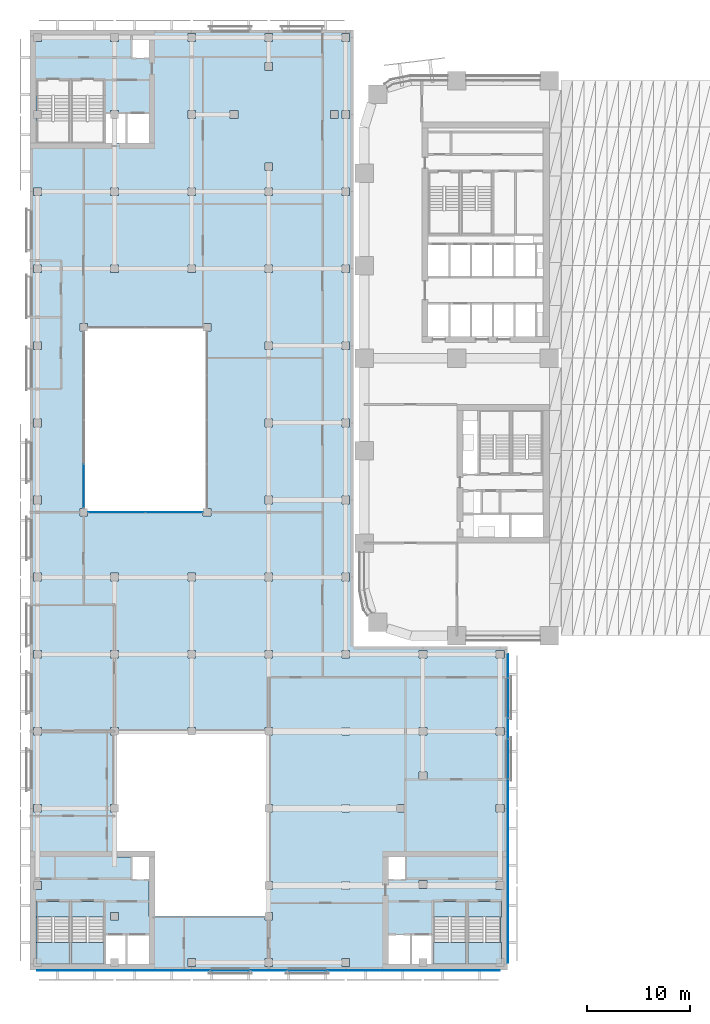
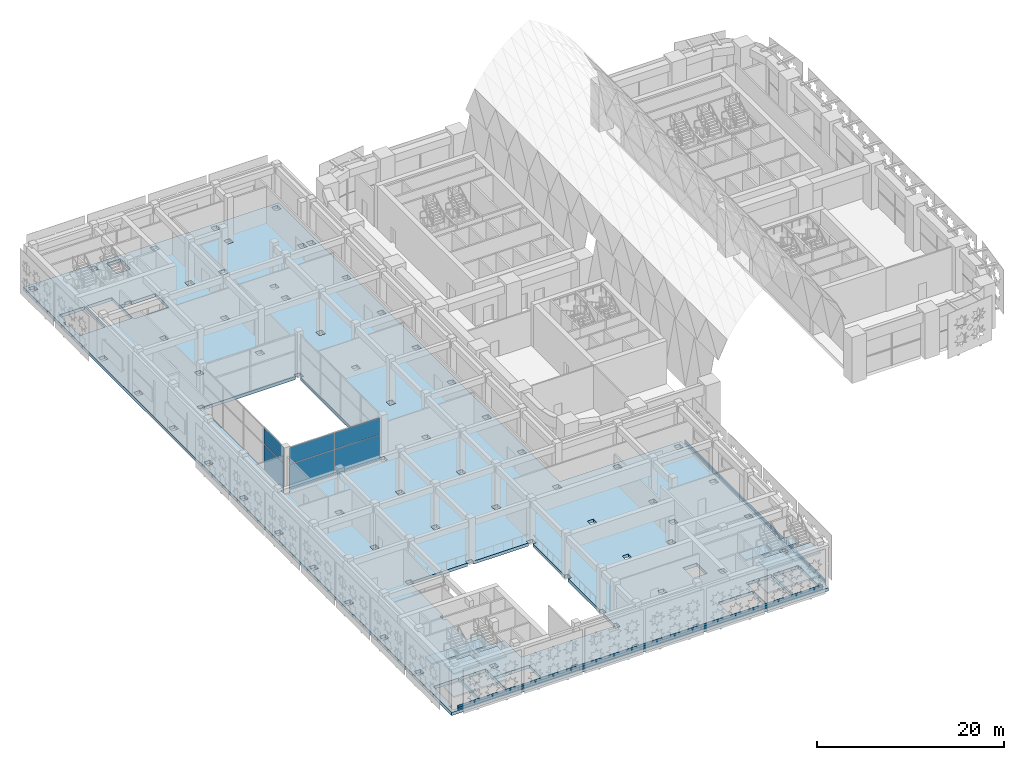
# One storey, part 10 of 46: 26 plates, 13 slabs, 6 elements without a shape of their own.
"""IFC4 building model written with IfcOpenShell, lengths in metres."""

from ifc_helpers import new_model, si_unit, direction, frame, origin, origin_2d, place, context, subcontext, project, spatial, polyline, rectangle, outline, extrude, material, layer, layer_set, type_object, element, aggregate, save


model = new_model("IFC4")

# Units and contexts
model_context = context("Model", 3, precision=1e-05, world=origin(), true_north=direction((0.0, 1.0)))
body_context = subcontext(model_context, "Body", "Model", "MODEL_VIEW")
ifc_project = project(units=[si_unit("LENGTHUNIT", "METRE"), si_unit("AREAUNIT", "SQUARE_METRE"), si_unit("VOLUMEUNIT", "CUBIC_METRE"), si_unit("PLANEANGLEUNIT", "RADIAN"), si_unit("MASSUNIT", "GRAM", prefix="KILO")], contexts=[model_context])

# Site, building, storey
site_placement = place(None, origin())
site = spatial("IfcSite", under=ifc_project, at=site_placement, CompositionType="ELEMENT")
building_placement = place(site_placement, origin())
building = spatial("IfcBuilding", under=site, at=building_placement, Name="Tessera Arch", CompositionType="ELEMENT")
storey_placement = place(building_placement, frame((0.0, 0.0, 8.0)))
storey = spatial("IfcBuildingStorey", under=building, at=storey_placement, Name="L01", CompositionType="ELEMENT", Elevation=8.0)

# Curtain wall, plates
ifc_material_1 = material(Name="Aluminium and clear glass", Category="aluminium")
ifc_layer_1 = layer(ifc_material_1, 0.1201171875)
ifc_layer_set_1 = layer_set([ifc_layer_1], Name="Courtyard curtain wall")
curtain_wall_type = type_object("IfcCurtainWallType", Name="Courtyard curtain wall", PredefinedType="NOTDEFINED", material=ifc_layer_set_1)
curtain_wall_1_placement = place(storey_placement, origin())
curtain_wall_1 = element("IfcCurtainWall", 1, at=curtain_wall_1_placement, inside=storey, type_object=curtain_wall_type, Name="Courtyard curtain wall L01 1", PredefinedType="NOTDEFINED")
ifc_material_2 = material(Name="Clear low-e laminated glass", Category="glass")
ifc_layer_2 = layer(ifc_material_2, 0.028076171875)
ifc_layer_set_2 = layer_set([ifc_layer_2], Name="Courtyard glass panel")
plate_type_1 = type_object("IfcPlateType", Name="Courtyard glass panel", PredefinedType="CURTAIN_PANEL", material=ifc_layer_set_2)
plate_1_placement = place(storey_placement, frame((-24.097412109375, 12.0, 0.06005859375), z_axis=(0.0, 0.0, 1.0), x_axis=(1.0, 0.0, 0.0)))
plate_1 = element("IfcPlate", 2, at=plate_1_placement, type_object=plate_type_1, Name="MCW1 panel 1.1", PredefinedType="CURTAIN_PANEL", context=body_context, shape_type="SweptSolid", body=[
    extrude(rectangle(XDim=5.534912109375, YDim=0.028076171875, at=origin_2d()), origin(), (0.0, 0.0, 1.0), 3.263916015625),
])
plate_2_placement = place(storey_placement, frame((-24.097412109375, 12.0, 3.384033203125), z_axis=(0.0, 0.0, 1.0), x_axis=(1.0, 0.0, 0.0)))
plate_2 = element("IfcPlate", 3, at=plate_2_placement, type_object=plate_type_1, Name="MCW1 panel 1.2", PredefinedType="CURTAIN_PANEL", context=body_context, shape_type="SweptSolid", body=[
    extrude(rectangle(XDim=5.534912109375, YDim=0.028076171875, at=origin_2d()), origin(), (0.0, 0.0, 1.0), 2.14599609375),
])
plate_3_placement = place(storey_placement, frame((-18.50244140625, 12.0, 0.06005859375), z_axis=(0.0, 0.0, 1.0), x_axis=(1.0, 0.0, 0.0)))
plate_3 = element("IfcPlate", 4, at=plate_3_placement, type_object=plate_type_1, Name="MCW1 panel 2.1", PredefinedType="CURTAIN_PANEL", context=body_context, shape_type="SweptSolid", body=[
    extrude(rectangle(XDim=5.534912109375, YDim=0.028076171875, at=origin_2d()), origin(), (0.0, 0.0, 1.0), 3.263916015625),
])
plate_4_placement = place(storey_placement, frame((-18.50244140625, 12.0, 3.384033203125), z_axis=(0.0, 0.0, 1.0), x_axis=(1.0, 0.0, 0.0)))
plate_4 = element("IfcPlate", 5, at=plate_4_placement, type_object=plate_type_1, Name="MCW1 panel 2.2", PredefinedType="CURTAIN_PANEL", context=body_context, shape_type="SweptSolid", body=[
    extrude(rectangle(XDim=5.534912109375, YDim=0.028076171875, at=origin_2d()), origin(), (0.0, 0.0, 1.0), 2.14599609375),
])
aggregate(curtain_wall_1, [plate_1, plate_2, plate_3, plate_4])

curtain_wall_2_placement = place(storey_placement, origin())
curtain_wall_2 = element("IfcCurtainWall", 6, at=curtain_wall_2_placement, inside=storey, type_object=curtain_wall_type, Name="Courtyard curtain wall L01 4", PredefinedType="NOTDEFINED")
plate_5_placement = place(storey_placement, frame((-27.300048828125, 14.546142578125, 0.06005859375), z_axis=(0.0, 0.0, 1.0), x_axis=(0.0, -1.0, 0.0)))
plate_5 = element("IfcPlate", 7, at=plate_5_placement, type_object=plate_type_1, Name="MCW1 panel 4.1", PredefinedType="CURTAIN_PANEL", context=body_context, shape_type="SweptSolid", body=[
    extrude(rectangle(XDim=4.222412109375, YDim=0.028076171875, at=origin_2d()), origin(), (0.0, 0.0, 1.0), 3.263916015625),
])
plate_6_placement = place(storey_placement, frame((-27.300048828125, 14.546142578125, 3.384033203125), z_axis=(0.0, 0.0, 1.0), x_axis=(0.0, -1.0, 0.0)))
plate_6 = element("IfcPlate", 8, at=plate_6_placement, type_object=plate_type_1, Name="MCW1 panel 4.2", PredefinedType="CURTAIN_PANEL", context=body_context, shape_type="SweptSolid", body=[
    extrude(rectangle(XDim=4.222412109375, YDim=0.028076171875, at=origin_2d()), origin(), (0.0, 0.0, 1.0), 2.14599609375),
])
aggregate(curtain_wall_2, [plate_5, plate_6])

# Slab
ifc_material_3 = material(Name="Concrete C40/50", Category="concrete")
ifc_layer_3 = layer(ifc_material_3, 0.409912109375)
ifc_layer_set_3 = layer_set([ifc_layer_3], Name="Museum floor slab 410 Concrete C40/50")
slab_type_1 = type_object("IfcSlabType", Name="Museum floor slab 410 Concrete C40/50", PredefinedType="FLOOR", material=ifc_layer_set_3)
slab_1_placement = place(storey_placement, frame((0.0, 0.0, -0.409912109375)))
element("IfcSlab", 9, at=slab_1_placement, inside=storey, type_object=slab_type_1, Name="Museum floor slab L01 1", PredefinedType="FLOOR", context=body_context, shape_type="SweptSolid", body=[
    extrude(outline(polyline([(13.949951171875, -32.550048828125), (-32.550048828125, -32.550048828125), (-32.550048828125, 58.949951171875), (-1.050048828125, 58.949951171875), (-1.050048828125, -1.050048828125), (13.949951171875, -1.050048828125), (13.949951171875, -32.550048828125)]), holes=[polyline([(-15.675048828125, 11.625), (-14.925048828125, 11.625), (-14.925048828125, 12.375), (-15.300048828125, 12.375), (-15.300048828125, 29.625), (-14.925048828125, 29.625), (-14.925048828125, 30.375), (-15.675048828125, 30.375), (-15.675048828125, 30.0), (-26.925048828125, 30.0), (-26.925048828125, 30.375), (-27.675048828125, 30.375), (-27.675048828125, 29.625), (-27.300048828125, 29.625), (-27.300048828125, 12.375), (-27.675048828125, 12.375), (-27.675048828125, 11.625), (-26.925048828125, 11.625), (-26.925048828125, 12.0), (-15.675048828125, 12.0), (-15.675048828125, 11.625)]), polyline([(-24.675048828125, -16.425048828125), (-24.675048828125, -17.175048828125), (-24.300048828125, -17.175048828125), (-24.300048828125, -21.550048828125), (-22.64990234375, -21.550048828125), (-22.64990234375, -23.75), (-20.949951171875, -23.75), (-20.949951171875, -27.300048828125), (-9.675048828125, -27.300048828125), (-9.675048828125, -27.675048828125), (-8.925048828125, -27.675048828125), (-8.925048828125, -26.925048828125), (-9.300048828125, -26.925048828125), (-9.300048828125, -24.675048828125), (-8.925048828125, -24.675048828125), (-8.925048828125, -23.925048828125), (-9.300048828125, -23.925048828125), (-9.300048828125, -17.175048828125), (-8.925048828125, -17.175048828125), (-8.925048828125, -16.425048828125), (-9.300048828125, -16.425048828125), (-9.300048828125, -9.675048828125), (-8.925048828125, -9.675048828125), (-8.925048828125, -8.925048828125), (-9.675048828125, -8.925048828125), (-9.675048828125, -9.300048828125), (-16.425048828125, -9.300048828125), (-16.425048828125, -8.925048828125), (-17.175048828125, -8.925048828125), (-17.175048828125, -9.300048828125), (-23.925048828125, -9.300048828125), (-23.925048828125, -8.925048828125), (-24.675048828125, -8.925048828125), (-24.675048828125, -9.675048828125), (-24.300048828125, -9.675048828125), (-24.300048828125, -16.425048828125), (-24.675048828125, -16.425048828125)]), polyline([(-31.425048828125, -32.175048828125), (-31.425048828125, -31.75), (-28.699951171875, -31.75), (-28.699951171875, -27.360107421875), (-30.199951171875, -27.360107421875), (-30.199951171875, -27.35009765625), (-30.35009765625, -27.35009765625), (-30.35009765625, -27.360107421875), (-31.85009765625, -27.360107421875), (-31.85009765625, -31.425048828125), (-32.175048828125, -31.425048828125), (-32.175048828125, -32.175048828125), (-31.425048828125, -32.175048828125)]), polyline([(-16.425048828125, -32.175048828125), (-16.425048828125, -31.425048828125), (-17.175048828125, -31.425048828125), (-17.175048828125, -32.175048828125), (-16.425048828125, -32.175048828125)]), polyline([(-23.925048828125, -32.175048828125), (-23.925048828125, -31.949951171875), (-23.14990234375, -31.949951171875), (-20.949951171875, -31.949951171875), (-20.949951171875, -29.050048828125), (-23.14990234375, -29.050048828125), (-25.25, -29.050048828125), (-25.25, -31.949951171875), (-24.675048828125, -31.949951171875), (-24.675048828125, -32.175048828125), (-23.925048828125, -32.175048828125)]), polyline([(-23.925048828125, -27.675048828125), (-23.925048828125, -26.925048828125), (-24.675048828125, -26.925048828125), (-24.675048828125, -27.675048828125), (-23.925048828125, -27.675048828125)]), polyline([(-31.425048828125, -24.675048828125), (-31.425048828125, -23.925048828125), (-32.175048828125, -23.925048828125), (-32.175048828125, -24.675048828125), (-31.425048828125, -24.675048828125)]), polyline([(-31.425048828125, -17.175048828125), (-31.425048828125, -16.425048828125), (-32.175048828125, -16.425048828125), (-32.175048828125, -17.175048828125), (-31.425048828125, -17.175048828125)]), polyline([(-32.175048828125, -9.675048828125), (-31.425048828125, -9.675048828125), (-31.425048828125, -8.925048828125), (-32.175048828125, -8.925048828125), (-32.175048828125, -9.675048828125)]), polyline([(-23.925048828125, -2.175048828125), (-23.925048828125, -1.425048828125), (-24.675048828125, -1.425048828125), (-24.675048828125, -2.175048828125), (-23.925048828125, -2.175048828125)]), polyline([(-31.425048828125, -2.175048828125), (-31.425048828125, -1.425048828125), (-32.175048828125, -1.425048828125), (-32.175048828125, -2.175048828125), (-31.425048828125, -2.175048828125)]), polyline([(-31.425048828125, 5.324951171875), (-31.425048828125, 6.074951171875), (-32.175048828125, 6.074951171875), (-32.175048828125, 5.324951171875), (-31.425048828125, 5.324951171875)]), polyline([(-24.675048828125, 5.324951171875), (-23.925048828125, 5.324951171875), (-23.925048828125, 6.074951171875), (-24.675048828125, 6.074951171875), (-24.675048828125, 5.324951171875)]), polyline([(-31.425048828125, 12.824951171875), (-31.425048828125, 13.574951171875), (-32.175048828125, 13.574951171875), (-32.175048828125, 12.824951171875), (-31.425048828125, 12.824951171875)]), polyline([(-31.425048828125, 20.324951171875), (-31.425048828125, 21.074951171875), (-32.175048828125, 21.074951171875), (-32.175048828125, 20.324951171875), (-31.425048828125, 20.324951171875)]), polyline([(-31.425048828125, 27.824951171875), (-31.425048828125, 28.574951171875), (-32.175048828125, 28.574951171875), (-32.175048828125, 27.824951171875), (-31.425048828125, 27.824951171875)]), polyline([(-24.675048828125, 35.324951171875), (-23.925048828125, 35.324951171875), (-23.925048828125, 36.074951171875), (-24.675048828125, 36.074951171875), (-24.675048828125, 35.324951171875)]), polyline([(-31.425048828125, 35.324951171875), (-31.425048828125, 36.074951171875), (-32.175048828125, 36.074951171875), (-32.175048828125, 35.324951171875), (-31.425048828125, 35.324951171875)]), polyline([(-23.925048828125, 42.824951171875), (-23.925048828125, 43.574951171875), (-24.675048828125, 43.574951171875), (-24.675048828125, 42.824951171875), (-23.925048828125, 42.824951171875)]), polyline([(-31.425048828125, 42.824951171875), (-31.425048828125, 43.574951171875), (-32.175048828125, 43.574951171875), (-32.175048828125, 42.824951171875), (-31.425048828125, 42.824951171875)]), polyline([(-23.925048828125, 51.074951171875), (-24.675048828125, 51.074951171875), (-24.675048828125, 50.85009765625), (-25.25, 50.85009765625), (-25.25, 47.949951171875), (-23.14990234375, 47.949951171875), (-20.949951171875, 47.949951171875), (-20.949951171875, 50.85009765625), (-23.14990234375, 50.85009765625), (-23.925048828125, 50.85009765625), (-23.925048828125, 51.074951171875)]), polyline([(-31.85009765625, 50.324951171875), (-31.85009765625, 48.14990234375), (-28.699951171875, 48.14990234375), (-28.699951171875, 52.5400390625), (-30.199951171875, 52.5400390625), (-30.199951171875, 52.550048828125), (-30.35009765625, 52.550048828125), (-30.35009765625, 52.5400390625), (-31.85009765625, 52.5400390625), (-31.85009765625, 51.074951171875), (-32.175048828125, 51.074951171875), (-32.175048828125, 50.324951171875), (-31.85009765625, 50.324951171875)]), polyline([(-23.925048828125, 57.824951171875), (-23.925048828125, 58.574951171875), (-24.675048828125, 58.574951171875), (-24.675048828125, 57.824951171875), (-23.925048828125, 57.824951171875)]), polyline([(-31.425048828125, 57.824951171875), (-31.425048828125, 58.574951171875), (-32.175048828125, 58.574951171875), (-32.175048828125, 57.824951171875), (-31.425048828125, 57.824951171875)]), polyline([(-9.675048828125, -32.175048828125), (-8.925048828125, -32.175048828125), (-8.925048828125, -31.425048828125), (-9.675048828125, -31.425048828125), (-9.675048828125, -32.175048828125)]), polyline([(-9.675048828125, -2.175048828125), (-8.925048828125, -2.175048828125), (-8.925048828125, -1.425048828125), (-9.675048828125, -1.425048828125), (-9.675048828125, -2.175048828125)]), polyline([(-16.425048828125, -2.175048828125), (-16.425048828125, -1.425048828125), (-17.175048828125, -1.425048828125), (-17.175048828125, -2.175048828125), (-16.425048828125, -2.175048828125)]), polyline([(-16.425048828125, 5.324951171875), (-16.425048828125, 6.074951171875), (-17.175048828125, 6.074951171875), (-17.175048828125, 5.324951171875), (-16.425048828125, 5.324951171875)]), polyline([(-8.925048828125, 5.324951171875), (-8.925048828125, 6.074951171875), (-9.675048828125, 6.074951171875), (-9.675048828125, 5.324951171875), (-8.925048828125, 5.324951171875)]), polyline([(-9.675048828125, 12.824951171875), (-8.925048828125, 12.824951171875), (-8.925048828125, 13.574951171875), (-9.675048828125, 13.574951171875), (-9.675048828125, 12.824951171875)]), polyline([(-8.925048828125, 20.324951171875), (-8.925048828125, 21.074951171875), (-9.675048828125, 21.074951171875), (-9.675048828125, 20.324951171875), (-8.925048828125, 20.324951171875)]), polyline([(-8.925048828125, 27.824951171875), (-8.925048828125, 28.574951171875), (-9.675048828125, 28.574951171875), (-9.675048828125, 27.824951171875), (-8.925048828125, 27.824951171875)]), polyline([(-16.425048828125, 35.324951171875), (-16.425048828125, 36.074951171875), (-17.175048828125, 36.074951171875), (-17.175048828125, 35.324951171875), (-16.425048828125, 35.324951171875)]), polyline([(-8.925048828125, 35.324951171875), (-8.925048828125, 36.074951171875), (-9.675048828125, 36.074951171875), (-9.675048828125, 35.324951171875), (-8.925048828125, 35.324951171875)]), polyline([(-8.925048828125, 42.824951171875), (-8.925048828125, 43.574951171875), (-9.675048828125, 43.574951171875), (-9.675048828125, 42.824951171875), (-8.925048828125, 42.824951171875)]), polyline([(-16.425048828125, 42.824951171875), (-16.425048828125, 43.574951171875), (-17.175048828125, 43.574951171875), (-17.175048828125, 42.824951171875), (-16.425048828125, 42.824951171875)]), polyline([(-9.675048828125, 45.25), (-8.925048828125, 45.25), (-8.925048828125, 46.0), (-9.675048828125, 46.0), (-9.675048828125, 45.25)]), polyline([(-13.050048828125, 50.324951171875), (-12.300048828125, 50.324951171875), (-12.300048828125, 51.074951171875), (-13.050048828125, 51.074951171875), (-13.050048828125, 50.324951171875)]), polyline([(-16.425048828125, 50.324951171875), (-16.425048828125, 51.074951171875), (-17.175048828125, 51.074951171875), (-17.175048828125, 50.324951171875), (-16.425048828125, 50.324951171875)]), polyline([(-2.550048828125, 50.324951171875), (-2.550048828125, 51.074951171875), (-3.300048828125, 51.074951171875), (-3.300048828125, 50.324951171875), (-2.550048828125, 50.324951171875)]), polyline([(-8.925048828125, 55.0), (-8.925048828125, 55.75), (-9.675048828125, 55.75), (-9.675048828125, 55.0), (-8.925048828125, 55.0)]), polyline([(-9.675048828125, 57.824951171875), (-8.925048828125, 57.824951171875), (-8.925048828125, 58.574951171875), (-9.675048828125, 58.574951171875), (-9.675048828125, 57.824951171875)]), polyline([(-17.175048828125, 57.824951171875), (-16.425048828125, 57.824951171875), (-16.425048828125, 58.574951171875), (-17.175048828125, 58.574951171875), (-17.175048828125, 57.824951171875)]), polyline([(-1.425048828125, -32.175048828125), (-1.425048828125, -31.425048828125), (-2.175048828125, -31.425048828125), (-2.175048828125, -32.175048828125), (-1.425048828125, -32.175048828125)]), polyline([(13.574951171875, -32.175048828125), (13.574951171875, -31.425048828125), (13.25, -31.425048828125), (13.25, -27.360107421875), (11.75, -27.360107421875), (11.75, -27.35009765625), (11.60009765625, -27.35009765625), (11.60009765625, -27.360107421875), (10.10009765625, -27.360107421875), (10.10009765625, -31.75), (12.824951171875, -31.75), (12.824951171875, -32.175048828125), (13.574951171875, -32.175048828125)]), polyline([(6.074951171875, -32.175048828125), (6.074951171875, -31.949951171875), (6.64990234375, -31.949951171875), (6.64990234375, -29.050048828125), (4.550048828125, -29.050048828125), (2.35009765625, -29.050048828125), (2.35009765625, -31.949951171875), (4.550048828125, -31.949951171875), (5.324951171875, -31.949951171875), (5.324951171875, -32.175048828125), (6.074951171875, -32.175048828125)]), polyline([(12.824951171875, -24.675048828125), (13.574951171875, -24.675048828125), (13.574951171875, -23.925048828125), (12.824951171875, -23.925048828125), (12.824951171875, -24.675048828125)]), polyline([(-2.175048828125, -24.675048828125), (-1.425048828125, -24.675048828125), (-1.425048828125, -23.925048828125), (-2.175048828125, -23.925048828125), (-2.175048828125, -24.675048828125)]), polyline([(6.074951171875, -24.574951171875), (6.074951171875, -23.824951171875), (5.324951171875, -23.824951171875), (5.324951171875, -24.574951171875), (6.074951171875, -24.574951171875)]), polyline([(-1.425048828125, -17.175048828125), (-1.425048828125, -16.425048828125), (-2.175048828125, -16.425048828125), (-2.175048828125, -17.175048828125), (-1.425048828125, -17.175048828125)]), polyline([(13.574951171875, -17.175048828125), (13.574951171875, -16.425048828125), (12.824951171875, -16.425048828125), (12.824951171875, -17.175048828125), (13.574951171875, -17.175048828125)]), polyline([(4.0, -17.175048828125), (4.0, -16.425048828125), (3.25, -16.425048828125), (3.25, -17.175048828125), (4.0, -17.175048828125)]), polyline([(6.074951171875, -14.0), (6.074951171875, -13.25), (5.324951171875, -13.25), (5.324951171875, -14.0), (6.074951171875, -14.0)]), polyline([(-1.425048828125, -9.675048828125), (-1.425048828125, -8.925048828125), (-2.175048828125, -8.925048828125), (-2.175048828125, -9.675048828125), (-1.425048828125, -9.675048828125)]), polyline([(6.074951171875, -9.675048828125), (6.074951171875, -8.925048828125), (5.324951171875, -8.925048828125), (5.324951171875, -9.675048828125), (6.074951171875, -9.675048828125)]), polyline([(12.824951171875, -9.675048828125), (13.574951171875, -9.675048828125), (13.574951171875, -8.925048828125), (12.824951171875, -8.925048828125), (12.824951171875, -9.675048828125)]), polyline([(-2.175048828125, -2.175048828125), (-1.425048828125, -2.175048828125), (-1.425048828125, -1.425048828125), (-2.175048828125, -1.425048828125), (-2.175048828125, -2.175048828125)]), polyline([(6.074951171875, -2.175048828125), (6.074951171875, -1.425048828125), (5.324951171875, -1.425048828125), (5.324951171875, -2.175048828125), (6.074951171875, -2.175048828125)]), polyline([(13.574951171875, -2.175048828125), (13.574951171875, -1.425048828125), (12.824951171875, -1.425048828125), (12.824951171875, -2.175048828125), (13.574951171875, -2.175048828125)]), polyline([(-1.425048828125, 5.324951171875), (-1.425048828125, 6.074951171875), (-2.175048828125, 6.074951171875), (-2.175048828125, 5.324951171875), (-1.425048828125, 5.324951171875)]), polyline([(-2.175048828125, 12.824951171875), (-1.425048828125, 12.824951171875), (-1.425048828125, 13.574951171875), (-2.175048828125, 13.574951171875), (-2.175048828125, 12.824951171875)]), polyline([(-2.175048828125, 20.324951171875), (-1.425048828125, 20.324951171875), (-1.425048828125, 21.074951171875), (-2.175048828125, 21.074951171875), (-2.175048828125, 20.324951171875)]), polyline([(-1.425048828125, 27.824951171875), (-1.425048828125, 28.574951171875), (-2.175048828125, 28.574951171875), (-2.175048828125, 27.824951171875), (-1.425048828125, 27.824951171875)]), polyline([(-1.425048828125, 35.324951171875), (-1.425048828125, 36.074951171875), (-2.175048828125, 36.074951171875), (-2.175048828125, 35.324951171875), (-1.425048828125, 35.324951171875)]), polyline([(-1.425048828125, 42.824951171875), (-1.425048828125, 43.574951171875), (-2.175048828125, 43.574951171875), (-2.175048828125, 42.824951171875), (-1.425048828125, 42.824951171875)]), polyline([(-2.175048828125, 50.324951171875), (-1.425048828125, 50.324951171875), (-1.425048828125, 51.074951171875), (-2.175048828125, 51.074951171875), (-2.175048828125, 50.324951171875)]), polyline([(-2.175048828125, 57.824951171875), (-1.425048828125, 57.824951171875), (-1.425048828125, 58.574951171875), (-2.175048828125, 58.574951171875), (-2.175048828125, 57.824951171875)]), polyline([(-27.0, -27.360107421875), (-28.5, -27.360107421875), (-28.5, -31.75), (-25.35009765625, -31.75), (-25.35009765625, -27.360107421875), (-26.85009765625, -27.360107421875), (-26.85009765625, -27.35009765625), (-27.0, -27.35009765625), (-27.0, -27.360107421875)]), polyline([(-27.0, 52.5400390625), (-28.5, 52.5400390625), (-28.5, 48.14990234375), (-25.35009765625, 48.14990234375), (-25.35009765625, 52.5400390625), (-26.85009765625, 52.5400390625), (-26.85009765625, 52.550048828125), (-27.0, 52.550048828125), (-27.0, 52.5400390625)]), polyline([(8.25, -27.360107421875), (6.75, -27.360107421875), (6.75, -31.75), (9.89990234375, -31.75), (9.89990234375, -27.360107421875), (8.39990234375, -27.360107421875), (8.39990234375, -27.35009765625), (8.25, -27.35009765625), (8.25, -27.360107421875)]), polyline([(4.050048828125, -23.75), (4.050048828125, -21.550048828125), (2.35009765625, -21.550048828125), (2.35009765625, -23.75), (4.050048828125, -23.75)]), polyline([(-20.949951171875, 56.14990234375), (-20.949951171875, 58.35009765625), (-22.64990234375, 58.35009765625), (-22.64990234375, 56.14990234375), (-20.949951171875, 56.14990234375)])]), origin(), (0.0, 0.0, 1.0), 0.409912109375),
])

# Plates
ifc_material_4 = material(Name="Glazed ceramic tile gold", Category="ceramic")
ifc_layer_4 = layer(ifc_material_4, 0.030029296875)
ifc_layer_set_4 = layer_set([ifc_layer_4], Name="Museum tile band gold")
plate_type_2 = type_object("IfcPlateType", Name="Museum tile band gold", PredefinedType="SHEET", material=ifc_layer_set_4)
for number, where, z_axis, x_axis, name in (
    (10, (-28.050048828125, -32.56494140625, 0.10009765625), (0.0, 0.0, 1.0), (1.0, 0.0, 0.0), "Tile band gold 1-2"),
    (11, (-20.550048828125, -32.56494140625, 0.10009765625), (0.0, 0.0, 1.0), (1.0, 0.0, 0.0), "Tile band gold 1-3"),
    (12, (-13.050048828125, -32.56494140625, 0.10009765625), (0.0, 0.0, 1.0), (1.0, 0.0, 0.0), "Tile band gold 1-4"),
    (13, (-5.550048828125, -32.56494140625, 0.10009765625), (0.0, 0.0, 1.0), (1.0, 0.0, 0.0), "Tile band gold 1-5"),
    (14, (1.949951171875, -32.56494140625, 0.10009765625), (0.0, 0.0, 1.0), (1.0, 0.0, 0.0), "Tile band gold 1-6"),
    (15, (9.449951171875, -32.56494140625, 0.10009765625), (0.0, 0.0, 1.0), (1.0, 0.0, 0.0), "Tile band gold 1-7"),
    (16, (13.965087890625, -28.050048828125, 0.10009765625), (0.0, 0.0, 1.0), (0.0, 1.0, 0.0), "Tile band gold 2-2"),
    (17, (13.965087890625, -20.550048828125, 0.10009765625), (0.0, 0.0, 1.0), (0.0, 1.0, 0.0), "Tile band gold 2-3"),
    (18, (13.965087890625, -13.050048828125, 0.10009765625), (0.0, 0.0, 1.0), (0.0, 1.0, 0.0), "Tile band gold 2-4"),
    (19, (13.965087890625, -5.550048828125, 0.10009765625), (0.0, 0.0, 1.0), (0.0, 1.0, 0.0), "Tile band gold 2-5"),
):
    element("IfcPlate", number, at=place(storey_placement, frame(where, z_axis=z_axis, x_axis=x_axis)), inside=storey, type_object=plate_type_2, Name=name, PredefinedType="SHEET", context=body_context, shape_type="SweptSolid", body=[
        extrude(rectangle(XDim=7.5, YDim=0.030029296875, at=origin_2d()), origin(), (0.0, 0.0, 1.0), 0.300048828125),
    ])
ifc_material_5 = material(Name="Glazed ceramic tile turquoise", Category="ceramic")
ifc_layer_5 = layer(ifc_material_5, 0.030029296875)
ifc_layer_set_5 = layer_set([ifc_layer_5], Name="Museum tile band turquoise")
plate_type_3 = type_object("IfcPlateType", Name="Museum tile band turquoise", PredefinedType="SHEET", material=ifc_layer_set_5)
for number, where, z_axis, x_axis, name in (
    (20, (-28.050048828125, -32.56494140625, 0.39990234375), (0.0, 0.0, 1.0), (1.0, 0.0, 0.0), "Tile band turquoise 1-2"),
    (21, (-20.550048828125, -32.56494140625, 0.39990234375), (0.0, 0.0, 1.0), (1.0, 0.0, 0.0), "Tile band turquoise 1-3"),
    (22, (-13.050048828125, -32.56494140625, 0.39990234375), (0.0, 0.0, 1.0), (1.0, 0.0, 0.0), "Tile band turquoise 1-4"),
    (23, (-5.550048828125, -32.56494140625, 0.39990234375), (0.0, 0.0, 1.0), (1.0, 0.0, 0.0), "Tile band turquoise 1-5"),
    (24, (1.949951171875, -32.56494140625, 0.39990234375), (0.0, 0.0, 1.0), (1.0, 0.0, 0.0), "Tile band turquoise 1-6"),
    (25, (9.449951171875, -32.56494140625, 0.39990234375), (0.0, 0.0, 1.0), (1.0, 0.0, 0.0), "Tile band turquoise 1-7"),
    (26, (13.965087890625, -28.050048828125, 0.39990234375), (0.0, 0.0, 1.0), (0.0, 1.0, 0.0), "Tile band turquoise 2-2"),
    (27, (13.965087890625, -20.550048828125, 0.39990234375), (0.0, 0.0, 1.0), (0.0, 1.0, 0.0), "Tile band turquoise 2-3"),
    (28, (13.965087890625, -13.050048828125, 0.39990234375), (0.0, 0.0, 1.0), (0.0, 1.0, 0.0), "Tile band turquoise 2-4"),
    (29, (13.965087890625, -5.550048828125, 0.39990234375), (0.0, 0.0, 1.0), (0.0, 1.0, 0.0), "Tile band turquoise 2-5"),
):
    element("IfcPlate", number, at=place(storey_placement, frame(where, z_axis=z_axis, x_axis=x_axis)), inside=storey, type_object=plate_type_3, Name=name, PredefinedType="SHEET", context=body_context, shape_type="SweptSolid", body=[
        extrude(rectangle(XDim=7.5, YDim=0.030029296875, at=origin_2d()), origin(), (0.0, 0.0, 1.0), 0.300048828125),
    ])

# Stair, slabs
ifc_material_6 = material(Name="Concrete C40/50", Category="concrete")
stair_type = type_object("IfcStairType", Name="Dogleg stair 1500", PredefinedType="HALF_TURN_STAIR", material=ifc_material_6)
stair_1_placement = place(storey_placement, origin())
stair_1 = element("IfcStair", 30, at=stair_1_placement, inside=storey, type_object=stair_type, Name="L01 M2a", PredefinedType="HALF_TURN_STAIR")
ifc_material_7 = material(Name="Concrete C40/50", Category="concrete")
ifc_layer_6 = layer(ifc_material_7, 0.300048828125)
ifc_layer_set_6 = layer_set([ifc_layer_6], Name="Stair landing 300")
slab_type_2 = type_object("IfcSlabType", Name="Stair landing 300", PredefinedType="LANDING", material=ifc_layer_set_6)
slab_2_placement = place(storey_placement, frame((0.0, 0.0, 1.300048828125)))
slab_2 = element("IfcSlab", 31, at=slab_2_placement, type_object=slab_type_2, Name="M2a landing 1", PredefinedType="LANDING", context=body_context, shape_type="SweptSolid", body=[
    extrude(outline(polyline([(-31.949951171875, -29.830078125), (-31.949951171875, -31.949951171875), (-28.699951171875, -31.949951171875), (-28.699951171875, -29.830078125), (-31.949951171875, -29.830078125)])), origin(), (0.0, 0.0, 1.0), 0.199951171875),
])
slab_3_placement = place(storey_placement, frame((0.0, 0.0, 2.800048828125)))
slab_3 = element("IfcSlab", 32, at=slab_3_placement, type_object=slab_type_2, Name="M2a landing 2", PredefinedType="LANDING", context=body_context, shape_type="SweptSolid", body=[
    extrude(outline(polyline([(-31.949951171875, -25.85009765625), (-31.949951171875, -27.35009765625), (-28.699951171875, -27.35009765625), (-28.699951171875, -25.85009765625), (-31.949951171875, -25.85009765625)])), origin(), (0.0, 0.0, 1.0), 0.199951171875),
])
slab_4_placement = place(storey_placement, frame((0.0, 0.0, 4.300048828125)))
slab_4 = element("IfcSlab", 33, at=slab_4_placement, type_object=slab_type_2, Name="M2a landing 3", PredefinedType="LANDING", context=body_context, shape_type="SweptSolid", body=[
    extrude(outline(polyline([(-31.949951171875, -29.830078125), (-31.949951171875, -31.949951171875), (-28.699951171875, -31.949951171875), (-28.699951171875, -29.830078125), (-31.949951171875, -29.830078125)])), origin(), (0.0, 0.0, 1.0), 0.199951171875),
])
aggregate(stair_1, [slab_2, slab_3, slab_4])

stair_2_placement = place(storey_placement, origin())
stair_2 = element("IfcStair", 34, at=stair_2_placement, inside=storey, type_object=stair_type, Name="L01 M2b", PredefinedType="HALF_TURN_STAIR")
slab_5_placement = place(storey_placement, frame((0.0, 0.0, 1.300048828125)))
slab_5 = element("IfcSlab", 35, at=slab_5_placement, type_object=slab_type_2, Name="M2b landing 1", PredefinedType="LANDING", context=body_context, shape_type="SweptSolid", body=[
    extrude(outline(polyline([(-28.5, -29.830078125), (-28.5, -31.949951171875), (-25.35009765625, -31.949951171875), (-25.35009765625, -29.830078125), (-28.5, -29.830078125)])), origin(), (0.0, 0.0, 1.0), 0.199951171875),
])
slab_6_placement = place(storey_placement, frame((0.0, 0.0, 2.800048828125)))
slab_6 = element("IfcSlab", 36, at=slab_6_placement, type_object=slab_type_2, Name="M2b landing 2", PredefinedType="LANDING", context=body_context, shape_type="SweptSolid", body=[
    extrude(outline(polyline([(-28.5, -25.85009765625), (-28.5, -27.35009765625), (-25.35009765625, -27.35009765625), (-25.35009765625, -25.85009765625), (-28.5, -25.85009765625)])), origin(), (0.0, 0.0, 1.0), 0.199951171875),
])
slab_7_placement = place(storey_placement, frame((0.0, 0.0, 4.300048828125)))
slab_7 = element("IfcSlab", 37, at=slab_7_placement, type_object=slab_type_2, Name="M2b landing 3", PredefinedType="LANDING", context=body_context, shape_type="SweptSolid", body=[
    extrude(outline(polyline([(-28.5, -29.830078125), (-28.5, -31.949951171875), (-25.35009765625, -31.949951171875), (-25.35009765625, -29.830078125), (-28.5, -29.830078125)])), origin(), (0.0, 0.0, 1.0), 0.199951171875),
])
aggregate(stair_2, [slab_5, slab_6, slab_7])

stair_3_placement = place(storey_placement, origin())
stair_3 = element("IfcStair", 38, at=stair_3_placement, inside=storey, type_object=stair_type, Name="L01 M3a", PredefinedType="HALF_TURN_STAIR")
slab_8_placement = place(storey_placement, frame((0.0, 0.0, 1.300048828125)))
slab_8 = element("IfcSlab", 39, at=slab_8_placement, type_object=slab_type_2, Name="M3a landing 1", PredefinedType="LANDING", context=body_context, shape_type="SweptSolid", body=[
    extrude(outline(polyline([(10.10009765625, -29.830078125), (10.10009765625, -31.949951171875), (13.35009765625, -31.949951171875), (13.35009765625, -29.830078125), (10.10009765625, -29.830078125)])), origin(), (0.0, 0.0, 1.0), 0.199951171875),
])
slab_9_placement = place(storey_placement, frame((0.0, 0.0, 2.800048828125)))
slab_9 = element("IfcSlab", 40, at=slab_9_placement, type_object=slab_type_2, Name="M3a landing 2", PredefinedType="LANDING", context=body_context, shape_type="SweptSolid", body=[
    extrude(outline(polyline([(10.10009765625, -25.85009765625), (10.10009765625, -27.35009765625), (13.35009765625, -27.35009765625), (13.35009765625, -25.85009765625), (10.10009765625, -25.85009765625)])), origin(), (0.0, 0.0, 1.0), 0.199951171875),
])
slab_10_placement = place(storey_placement, frame((0.0, 0.0, 4.300048828125)))
slab_10 = element("IfcSlab", 41, at=slab_10_placement, type_object=slab_type_2, Name="M3a landing 3", PredefinedType="LANDING", context=body_context, shape_type="SweptSolid", body=[
    extrude(outline(polyline([(10.10009765625, -29.830078125), (10.10009765625, -31.949951171875), (13.35009765625, -31.949951171875), (13.35009765625, -29.830078125), (10.10009765625, -29.830078125)])), origin(), (0.0, 0.0, 1.0), 0.199951171875),
])
aggregate(stair_3, [slab_8, slab_9, slab_10])

stair_4_placement = place(storey_placement, origin())
stair_4 = element("IfcStair", 42, at=stair_4_placement, inside=storey, type_object=stair_type, Name="L01 M3b", PredefinedType="HALF_TURN_STAIR")
slab_11_placement = place(storey_placement, frame((0.0, 0.0, 1.300048828125)))
slab_11 = element("IfcSlab", 43, at=slab_11_placement, type_object=slab_type_2, Name="M3b landing 1", PredefinedType="LANDING", context=body_context, shape_type="SweptSolid", body=[
    extrude(outline(polyline([(6.75, -29.830078125), (6.75, -31.949951171875), (9.89990234375, -31.949951171875), (9.89990234375, -29.830078125), (6.75, -29.830078125)])), origin(), (0.0, 0.0, 1.0), 0.199951171875),
])
slab_12_placement = place(storey_placement, frame((0.0, 0.0, 2.800048828125)))
slab_12 = element("IfcSlab", 44, at=slab_12_placement, type_object=slab_type_2, Name="M3b landing 2", PredefinedType="LANDING", context=body_context, shape_type="SweptSolid", body=[
    extrude(outline(polyline([(6.75, -25.85009765625), (6.75, -27.35009765625), (9.89990234375, -27.35009765625), (9.89990234375, -25.85009765625), (6.75, -25.85009765625)])), origin(), (0.0, 0.0, 1.0), 0.199951171875),
])
slab_13_placement = place(storey_placement, frame((0.0, 0.0, 4.300048828125)))
slab_13 = element("IfcSlab", 45, at=slab_13_placement, type_object=slab_type_2, Name="M3b landing 3", PredefinedType="LANDING", context=body_context, shape_type="SweptSolid", body=[
    extrude(outline(polyline([(6.75, -29.830078125), (6.75, -31.949951171875), (9.89990234375, -31.949951171875), (9.89990234375, -29.830078125), (6.75, -29.830078125)])), origin(), (0.0, 0.0, 1.0), 0.199951171875),
])
aggregate(stair_4, [slab_11, slab_12, slab_13])

save(model, "model.ifc")
